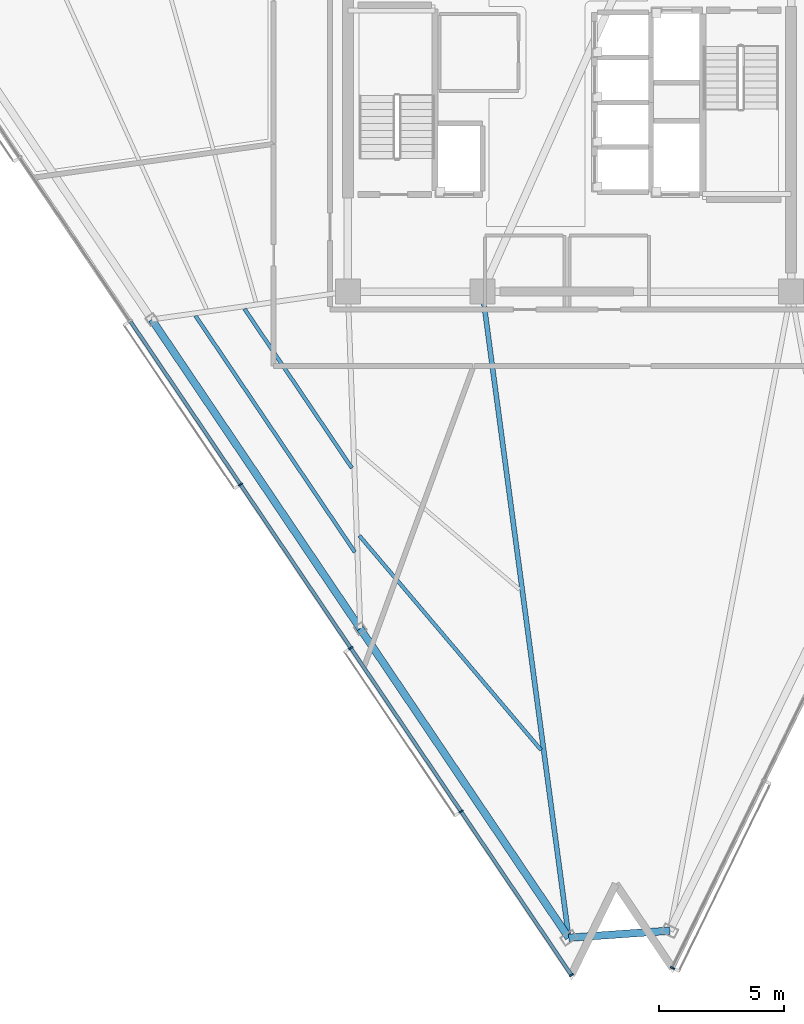
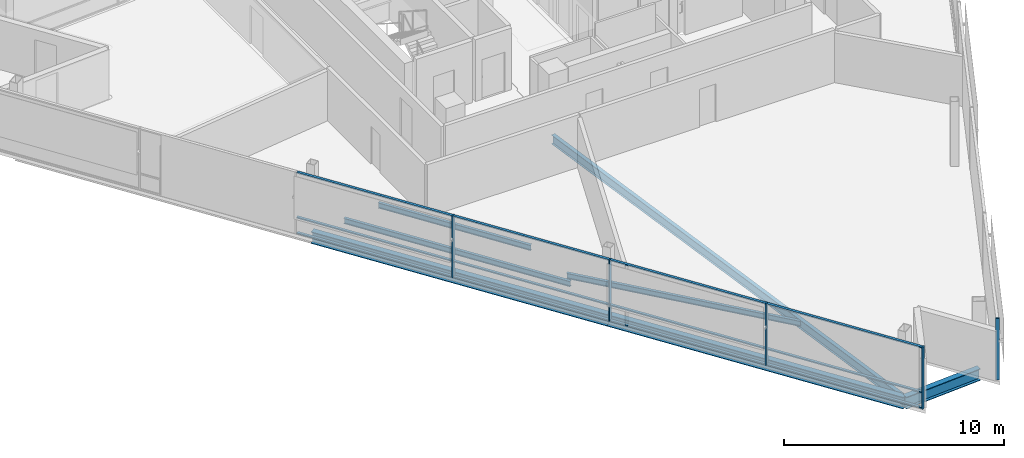
# One storey, part 2 of 16: 17 members, 7 beams, 2 elements without a shape of their own.
"""IFC4 building model written with IfcOpenShell, lengths in metres."""

from ifc_helpers import new_model, si_unit, direction, frame, origin, origin_2d, place, context, subcontext, project, spatial, rectangle, i_section, extrude, material, layer, layer_set, material_profile, profile_set, type_object, element, aggregate, save


model = new_model("IFC4")

# Units and contexts
model_context = context("Model", 3, precision=1e-05, world=origin(), true_north=direction((0.0, 1.0)))
body_context = subcontext(model_context, "Body", "Model", "MODEL_VIEW")
ifc_project = project(units=[si_unit("LENGTHUNIT", "METRE"), si_unit("AREAUNIT", "SQUARE_METRE"), si_unit("VOLUMEUNIT", "CUBIC_METRE"), si_unit("PLANEANGLEUNIT", "RADIAN"), si_unit("MASSUNIT", "GRAM", prefix="KILO")], contexts=[model_context])

# Site, building, storey
site_placement = place(None, origin())
site = spatial("IfcSite", under=ifc_project, at=site_placement, CompositionType="ELEMENT")
building_placement = place(site_placement, origin())
building = spatial("IfcBuilding", under=site, at=building_placement, Name="Tharavind Bronze Gate", CompositionType="ELEMENT")
storey_placement = place(building_placement, frame((0.0, 0.0, 257.0)))
storey = spatial("IfcBuildingStorey", under=building, at=storey_placement, Name="L66", CompositionType="ELEMENT", Elevation=257.0)

# Curtain wall, members
ifc_material_1 = material(Name="Anodised Bronze Aluminium", Category="aluminium")
ifc_layer = layer(ifc_material_1, 0.219970703125)
ifc_layer_set = layer_set([ifc_layer], Name="Anodised Bronze Aluminium")
curtain_wall_type = type_object("IfcCurtainWallType", Name="UNITISED CURTAIN WALL UPPER OFFICE", PredefinedType="USERDEFINED", material=ifc_layer_set)
curtain_wall_1_placement = place(storey_placement, origin())
curtain_wall_1 = element("IfcCurtainWall", 1, at=curtain_wall_1_placement, inside=storey, type_object=curtain_wall_type, Name="L66 unitised curtain wall upper office CW-L66-S1", ObjectType="UNITISED CURTAIN WALL", PredefinedType="USERDEFINED")
member_type_1 = type_object("IfcMemberType", Name="CURTAIN WALL BRONZE MULLION 65X180", PredefinedType="MULLION", material=ifc_material_1)
member_1_placement = place(storey_placement, frame((-13.211181640625, -15.3466796875, 0.0), z_axis=(0.0, 0.0, 1.0), x_axis=(0.559191456526, -0.82903854853, 0.0)))
member_1 = element("IfcMember", 2, at=member_1_placement, type_object=member_type_1, Name="CW-L66-S1 mullion 4", PredefinedType="MULLION", context=body_context, shape_type="SweptSolid", body=[
    extrude(rectangle(XDim=0.06494140625, YDim=0.179931640625, at=origin_2d()), origin(), (0.0, 0.0, 1.0), 3.419921875),
])
member_2_placement = place(storey_placement, frame((-8.781982421875, -21.912841796875, 0.0), z_axis=(0.0, 0.0, 1.0), x_axis=(0.559191456526, -0.82903854853, 0.0)))
member_2 = element("IfcMember", 3, at=member_2_placement, type_object=member_type_1, Name="CW-L66-S1 mullion 5", PredefinedType="MULLION", context=body_context, shape_type="SweptSolid", body=[
    extrude(rectangle(XDim=0.06494140625, YDim=0.179931640625, at=origin_2d()), origin(), (0.0, 0.0, 1.0), 3.419921875),
])
member_3_placement = place(storey_placement, frame((-4.35302734375, -28.47900390625, 0.0), z_axis=(0.0, 0.0, 1.0), x_axis=(0.559191456526, -0.82903854853, 0.0)))
member_3 = element("IfcMember", 4, at=member_3_placement, type_object=member_type_1, Name="CW-L66-S1 mullion 6", PredefinedType="MULLION", context=body_context, shape_type="SweptSolid", body=[
    extrude(rectangle(XDim=0.06494140625, YDim=0.179931640625, at=origin_2d()), origin(), (0.0, 0.0, 1.0), 3.419921875),
])
member_4_placement = place(storey_placement, frame((0.075927734375, -35.04541015625, 0.0), z_axis=(0.0, 0.0, 1.0), x_axis=(0.559191456526, -0.82903854853, 0.0)))
member_4 = element("IfcMember", 5, at=member_4_placement, type_object=member_type_1, Name="CW-L66-S1 mullion 7", PredefinedType="MULLION", context=body_context, shape_type="SweptSolid", body=[
    extrude(rectangle(XDim=0.06494140625, YDim=0.179931640625, at=origin_2d()), origin(), (0.0, 0.0, 1.0), 3.419921875),
])

# Curtain wall, member
curtain_wall_2_placement = place(storey_placement, origin())
curtain_wall_2 = element("IfcCurtainWall", 6, at=curtain_wall_2_placement, inside=storey, type_object=curtain_wall_type, Name="L66 unitised curtain wall upper office CW-L66-S2", ObjectType="UNITISED CURTAIN WALL", PredefinedType="USERDEFINED")
member_5_placement = place(storey_placement, frame((4.134033203125, -34.76171875, 0.0), z_axis=(0.0, 0.0, 1.0), x_axis=(0.43837271548, 0.898793281196, 0.0)))
member_5 = element("IfcMember", 7, at=member_5_placement, type_object=member_type_1, Name="CW-L66-S2 mullion 1", PredefinedType="MULLION", context=body_context, shape_type="SweptSolid", body=[
    extrude(rectangle(XDim=0.06494140625, YDim=0.179931640625, at=origin_2d()), origin(), (0.0, 0.0, 1.0), 3.419921875),
])
aggregate(curtain_wall_2, [member_5])

# Member
member_type_2 = type_object("IfcMemberType", Name="CURTAIN WALL BRONZE TRANSOM 65X140", PredefinedType="USERDEFINED", material=ifc_material_1)
member_6_placement = place(storey_placement, frame((-15.425537109375, -12.0634765625, 0.0), z_axis=(0.0, 0.0, 1.0), x_axis=(0.559191456526, -0.82903854853, 0.0)))
member_6 = element("IfcMember", 8, at=member_6_placement, type_object=member_type_2, Name="CW-L66-S1 transom TB3", ObjectType="TRANSOM", PredefinedType="USERDEFINED", context=body_context, shape_type="SweptSolid", body=[
    extrude(rectangle(XDim=7.8671875, YDim=0.139892578125, at=origin_2d()), origin(), (0.0, 0.0, 1.0), 0.06494140625),
])

member_7_placement = place(storey_placement, frame((-15.425537109375, -12.0634765625, 0.867431640625), z_axis=(0.0, 0.0, 1.0), x_axis=(0.559191456526, -0.82903854853, 0.0)))
member_7 = element("IfcMember", 9, at=member_7_placement, type_object=member_type_2, Name="CW-L66-S1 transom TS3", ObjectType="TRANSOM", PredefinedType="USERDEFINED", context=body_context, shape_type="SweptSolid", body=[
    extrude(rectangle(XDim=7.8671875, YDim=0.139892578125, at=origin_2d()), origin(), (0.0, 0.0, 1.0), 0.06494140625),
])

member_8_placement = place(storey_placement, frame((-15.425537109375, -12.0634765625, 3.35498046875), z_axis=(0.0, 0.0, 1.0), x_axis=(0.559191456526, -0.82903854853, 0.0)))
member_8 = element("IfcMember", 10, at=member_8_placement, type_object=member_type_2, Name="CW-L66-S1 transom TT3", ObjectType="TRANSOM", PredefinedType="USERDEFINED", context=body_context, shape_type="SweptSolid", body=[
    extrude(rectangle(XDim=7.8671875, YDim=0.139892578125, at=origin_2d()), origin(), (0.0, 0.0, 1.0), 0.06494140625),
])

member_9_placement = place(storey_placement, frame((-10.99658203125, -18.629638671875, 0.0), z_axis=(0.0, 0.0, 1.0), x_axis=(0.559191456526, -0.82903854853, 0.0)))
member_9 = element("IfcMember", 11, at=member_9_placement, type_object=member_type_2, Name="CW-L66-S1 transom TB4", ObjectType="TRANSOM", PredefinedType="USERDEFINED", context=body_context, shape_type="SweptSolid", body=[
    extrude(rectangle(XDim=7.8671875, YDim=0.139892578125, at=origin_2d()), origin(), (0.0, 0.0, 1.0), 0.06494140625),
])

member_10_placement = place(storey_placement, frame((-10.99658203125, -18.629638671875, 0.867431640625), z_axis=(0.0, 0.0, 1.0), x_axis=(0.559191456526, -0.82903854853, 0.0)))
member_10 = element("IfcMember", 12, at=member_10_placement, type_object=member_type_2, Name="CW-L66-S1 transom TS4", ObjectType="TRANSOM", PredefinedType="USERDEFINED", context=body_context, shape_type="SweptSolid", body=[
    extrude(rectangle(XDim=7.8671875, YDim=0.139892578125, at=origin_2d()), origin(), (0.0, 0.0, 1.0), 0.06494140625),
])

member_11_placement = place(storey_placement, frame((-10.99658203125, -18.629638671875, 3.35498046875), z_axis=(0.0, 0.0, 1.0), x_axis=(0.559191456526, -0.82903854853, 0.0)))
member_11 = element("IfcMember", 13, at=member_11_placement, type_object=member_type_2, Name="CW-L66-S1 transom TT4", ObjectType="TRANSOM", PredefinedType="USERDEFINED", context=body_context, shape_type="SweptSolid", body=[
    extrude(rectangle(XDim=7.8671875, YDim=0.139892578125, at=origin_2d()), origin(), (0.0, 0.0, 1.0), 0.06494140625),
])

member_12_placement = place(storey_placement, frame((-6.567626953125, -25.196044921875, 0.0), z_axis=(0.0, 0.0, 1.0), x_axis=(0.559191456526, -0.82903854853, 0.0)))
member_12 = element("IfcMember", 14, at=member_12_placement, type_object=member_type_2, Name="CW-L66-S1 transom TB5", ObjectType="TRANSOM", PredefinedType="USERDEFINED", context=body_context, shape_type="SweptSolid", body=[
    extrude(rectangle(XDim=7.8671875, YDim=0.139892578125, at=origin_2d()), origin(), (0.0, 0.0, 1.0), 0.06494140625),
])

member_13_placement = place(storey_placement, frame((-6.567626953125, -25.196044921875, 0.867431640625), z_axis=(0.0, 0.0, 1.0), x_axis=(0.559191456526, -0.82903854853, 0.0)))
member_13 = element("IfcMember", 15, at=member_13_placement, type_object=member_type_2, Name="CW-L66-S1 transom TS5", ObjectType="TRANSOM", PredefinedType="USERDEFINED", context=body_context, shape_type="SweptSolid", body=[
    extrude(rectangle(XDim=7.8671875, YDim=0.139892578125, at=origin_2d()), origin(), (0.0, 0.0, 1.0), 0.06494140625),
])

member_14_placement = place(storey_placement, frame((-6.567626953125, -25.196044921875, 3.35498046875), z_axis=(0.0, 0.0, 1.0), x_axis=(0.559191456526, -0.82903854853, 0.0)))
member_14 = element("IfcMember", 16, at=member_14_placement, type_object=member_type_2, Name="CW-L66-S1 transom TT5", ObjectType="TRANSOM", PredefinedType="USERDEFINED", context=body_context, shape_type="SweptSolid", body=[
    extrude(rectangle(XDim=7.8671875, YDim=0.139892578125, at=origin_2d()), origin(), (0.0, 0.0, 1.0), 0.06494140625),
])

member_15_placement = place(storey_placement, frame((-2.138671875, -31.76220703125, 0.0), z_axis=(0.0, 0.0, 1.0), x_axis=(0.559191456526, -0.82903854853, 0.0)))
member_15 = element("IfcMember", 17, at=member_15_placement, type_object=member_type_2, Name="CW-L66-S1 transom TB6", ObjectType="TRANSOM", PredefinedType="USERDEFINED", context=body_context, shape_type="SweptSolid", body=[
    extrude(rectangle(XDim=7.8671875, YDim=0.139892578125, at=origin_2d()), origin(), (0.0, 0.0, 1.0), 0.06494140625),
])

member_16_placement = place(storey_placement, frame((-2.138671875, -31.76220703125, 0.867431640625), z_axis=(0.0, 0.0, 1.0), x_axis=(0.559191456526, -0.82903854853, 0.0)))
member_16 = element("IfcMember", 18, at=member_16_placement, type_object=member_type_2, Name="CW-L66-S1 transom TS6", ObjectType="TRANSOM", PredefinedType="USERDEFINED", context=body_context, shape_type="SweptSolid", body=[
    extrude(rectangle(XDim=7.8671875, YDim=0.139892578125, at=origin_2d()), origin(), (0.0, 0.0, 1.0), 0.06494140625),
])

member_17_placement = place(storey_placement, frame((-2.138671875, -31.76220703125, 3.35498046875), z_axis=(0.0, 0.0, 1.0), x_axis=(0.559191456526, -0.82903854853, 0.0)))
member_17 = element("IfcMember", 19, at=member_17_placement, type_object=member_type_2, Name="CW-L66-S1 transom TT6", ObjectType="TRANSOM", PredefinedType="USERDEFINED", context=body_context, shape_type="SweptSolid", body=[
    extrude(rectangle(XDim=7.8671875, YDim=0.139892578125, at=origin_2d()), origin(), (0.0, 0.0, 1.0), 0.06494140625),
])

aggregate(curtain_wall_1, [member_1, member_2, member_3, member_4, member_6, member_7, member_8, member_9, member_10, member_11, member_12, member_13, member_14, member_15, member_16, member_17])

# Beams
ifc_material_2 = material(Name="Steel S355", Category="steel")
ifc_material_profile_1 = material_profile(ifc_material_2, i_section(OverallWidth=0.300048828125, OverallDepth=0.64990234375, WebThickness=0.01611328125, FlangeThickness=0.031005859375, at=origin_2d()), Name="HE650B")
ifc_profile_set_1 = profile_set([ifc_material_profile_1], Name="Steel S355")
beam_type_1 = type_object("IfcBeamType", Name="PRIMARY GIRDER HE650B", PredefinedType="USERDEFINED", material=ifc_profile_set_1)
for number, where, z_axis, x_axis, name in (
    (20, (-16.776123046875, -8.719970703125, -0.5048828125), (0.559195614283, -0.829035744083, 0.0), (0.829035744083, 0.559195614283, 0.0), "L66 primary girder he650b BM-L66-PRG02"),
    (21, (-8.40234375, -21.134521484375, -0.5048828125), (0.559184408692, -0.829043302292, 0.0), (0.829043302292, 0.559184408692, 0.0), "L66 primary girder he650b BM-L66-PRG03"),
):
    element("IfcBeam", number, at=place(storey_placement, frame(where, z_axis=z_axis, x_axis=x_axis)), inside=storey, type_object=beam_type_1, Name=name, ObjectType="GIRDER", PredefinedType="USERDEFINED", context=body_context, shape_type="SweptSolid", body=[
        extrude(i_section(OverallWidth=0.300048828125, OverallDepth=0.64990234375, WebThickness=0.01611328125, FlangeThickness=0.031005859375, at=origin_2d()), origin(), (0.0, 0.0, 1.0), 14.974609375),
    ])
beam_1_placement = place(storey_placement, frame((-0.02880859375, -33.549072265625, -0.5048828125), z_axis=(0.997561224107, 0.069796877851, 0.0), x_axis=(-0.069796877851, 0.997561224107, 0.0)))
element("IfcBeam", 22, at=beam_1_placement, inside=storey, type_object=beam_type_1, Name="L66 primary girder he650b BM-L66-PRG04", ObjectType="GIRDER", PredefinedType="USERDEFINED", context=body_context, shape_type="SweptSolid", body=[
    extrude(i_section(OverallWidth=0.300048828125, OverallDepth=0.64990234375, WebThickness=0.01611328125, FlangeThickness=0.031005859375, at=origin_2d()), origin(), (0.0, 0.0, 1.0), 4.068115234375),
])
ifc_material_profile_2 = material_profile(ifc_material_2, i_section(OverallWidth=0.199951171875, OverallDepth=0.5, WebThickness=0.01025390625, FlangeThickness=0.01611328125, at=origin_2d()), Name="IPE500")
ifc_profile_set_2 = profile_set([ifc_material_profile_2], Name="Steel S355")
beam_type_2 = type_object("IfcBeamType", Name="PRIMARY GIRDER IPE500", PredefinedType="USERDEFINED", material=ifc_profile_set_2)
beam_2_placement = place(storey_placement, frame((-0.02880859375, -33.549072265625, -0.429931640625), z_axis=(-0.132588849442, 0.991171123976, 0.0), x_axis=(-0.991171123976, -0.132588849442, 0.0)))
element("IfcBeam", 23, at=beam_2_placement, inside=storey, type_object=beam_type_2, Name="L66 primary girder ipe500 BM-L66-RAD04", ObjectType="GIRDER", PredefinedType="USERDEFINED", context=body_context, shape_type="SweptSolid", body=[
    extrude(i_section(OverallWidth=0.199951171875, OverallDepth=0.5, WebThickness=0.01025390625, FlangeThickness=0.01611328125, at=origin_2d()), origin(), (0.0, 0.0, 1.0), 26.18017578125),
])
ifc_material_profile_3 = material_profile(ifc_material_2, i_section(OverallWidth=0.14990234375, OverallDepth=0.300048828125, WebThickness=0.007080078125, FlangeThickness=0.0107421875, at=origin_2d()), Name="IPE300")
ifc_profile_set_3 = profile_set([ifc_material_profile_3], Name="Steel S355")
beam_type_3 = type_object("IfcBeamType", Name="SECONDARY FLOOR JOIST IPE300", PredefinedType="JOIST", material=ifc_profile_set_3)
beam_3_placement = place(storey_placement, frame((-13.04931640625, -8.294677734375, -0.330078125), z_axis=(0.559190305192, -0.82903932511, 0.0), x_axis=(0.82903932511, 0.559190305192, 0.0)))
element("IfcBeam", 24, at=beam_3_placement, inside=storey, type_object=beam_type_3, Name="L66 secondary floor joist ipe300 BM-L66-JSTA02", PredefinedType="JOIST", context=body_context, shape_type="SweptSolid", body=[
    extrude(i_section(OverallWidth=0.14990234375, OverallDepth=0.300048828125, WebThickness=0.007080078125, FlangeThickness=0.0107421875, at=origin_2d()), origin(), (0.0, 0.0, 1.0), 7.702880859375),
])
beam_4_placement = place(storey_placement, frame((-15.018310546875, -8.57470703125, -0.330078125), z_axis=(0.559200650342, -0.829032347172, 0.0), x_axis=(0.829032347172, 0.559200650342, 0.0)))
element("IfcBeam", 25, at=beam_4_placement, inside=storey, type_object=beam_type_3, Name="L66 secondary floor joist ipe300 BM-L66-JSTB02", PredefinedType="JOIST", context=body_context, shape_type="SweptSolid", body=[
    extrude(i_section(OverallWidth=0.14990234375, OverallDepth=0.300048828125, WebThickness=0.007080078125, FlangeThickness=0.0107421875, at=origin_2d()), origin(), (0.0, 0.0, 1.0), 11.446533203125),
])
beam_5_placement = place(storey_placement, frame((-8.43701171875, -17.403564453125, -0.330078125), z_axis=(0.646710156103, -0.762735848111, 0.0), x_axis=(0.762735848111, 0.646710156103, 0.0)))
element("IfcBeam", 26, at=beam_5_placement, inside=storey, type_object=beam_type_3, Name="L66 secondary floor joist ipe300 BM-L66-JSTB03", PredefinedType="JOIST", context=body_context, shape_type="SweptSolid", body=[
    extrude(i_section(OverallWidth=0.14990234375, OverallDepth=0.300048828125, WebThickness=0.007080078125, FlangeThickness=0.0107421875, at=origin_2d()), origin(), (0.0, 0.0, 1.0), 11.28271484375),
])

save(model, "model.ifc")
